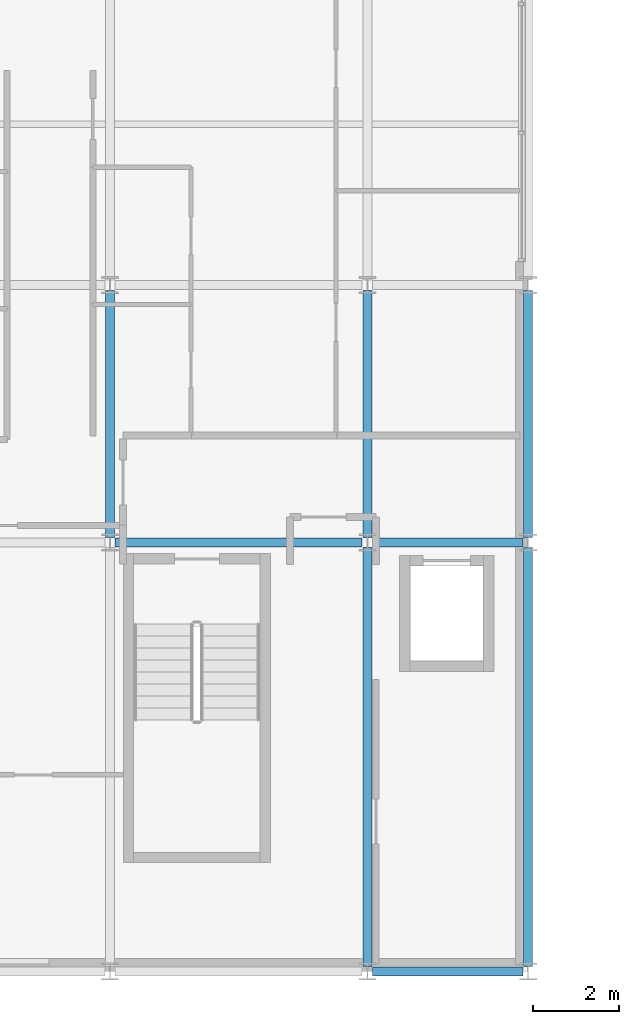
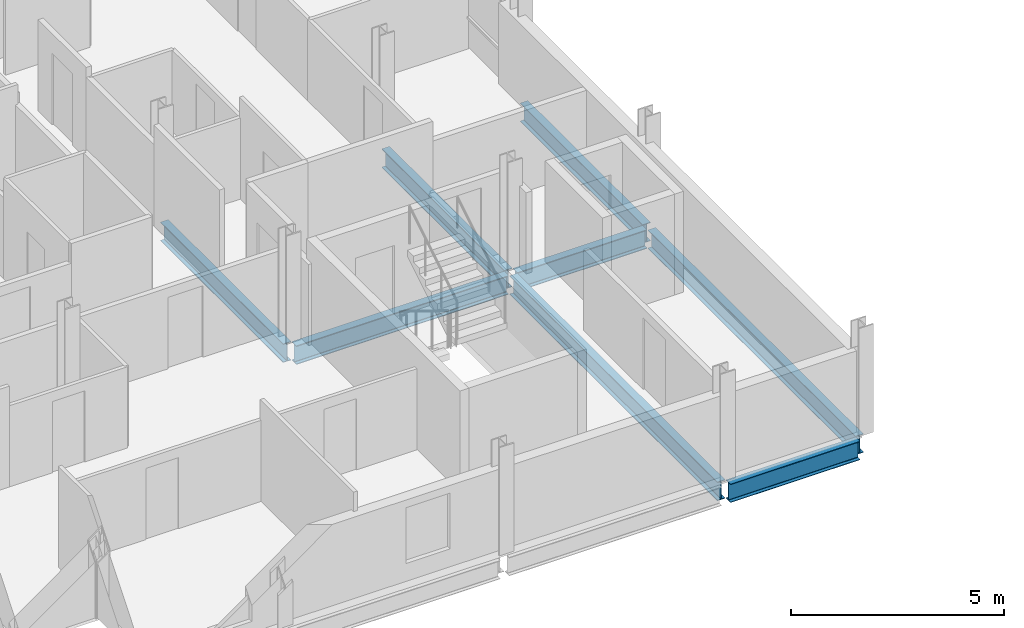
# One storey, part 4 of 28: 8 beams.
"""IFC4 building model written with IfcOpenShell, lengths in metres."""

import ifcopenshell
import ifcopenshell.guid

model = None  # the IFC model being written
_history = None  # IfcOwnerHistory: only IFC2X3 demands one
_inside = {}  # id of a spatial element -> (the spatial element, [elements in it])
_under = {}  # id of a project, library or spatial element -> (it, [spatial elements below it])
_declared = {}  # id of a project -> (the project, [libraries it declares])
_typed = {}  # id of a type object -> (the type object, [elements of that type])
_made_of = {}  # id of a material, layer set ... -> (it, [elements and type objects made of it])


def new_model(schema):
    """Start an empty IFC model of exactly this schema.

    Asked for "IFC4X3", IfcOpenShell would pick the latest addendum, in which some entities
    have other attributes; the version numbers below select the first issue.
    IFC2X3 requires an IfcOwnerHistory on every rooted entity: one is made here for all.
    """
    global model, _history
    if schema == "IFC4X3":
        model = ifcopenshell.file(schema_version=(4, 3, 0, 0))
    else:
        model = ifcopenshell.file(schema=schema)
    _inside.clear()
    _under.clear()
    _declared.clear()
    _typed.clear()
    _made_of.clear()
    _history = None
    if model.schema == "IFC2X3":
        org = make("IfcOrganization", Name="unknown")
        user = make(
            "IfcPersonAndOrganization",
            ThePerson=make("IfcPerson", FamilyName="unknown"),
            TheOrganization=org,
        )
        app = make(
            "IfcApplication",
            ApplicationDeveloper=org,
            Version="unknown",
            ApplicationFullName="unknown",
            ApplicationIdentifier="unknown",
        )
        _history = make(
            "IfcOwnerHistory",
            OwningUser=user,
            OwningApplication=app,
            ChangeAction="ADDED",
            CreationDate=0,
        )
    return model


def make(cls, **values):
    """One entity of the class cls with the attributes given. An attribute that is None is left unset."""
    return model.create_entity(
        cls, **{name: value for name, value in values.items() if value is not None}
    )


def rooted(cls, **values):
    """An entity with a GlobalId (a new one), such as an element, a storey or a relation."""
    return make(cls, GlobalId=ifcopenshell.guid.new(), OwnerHistory=_history, **values)


def si_unit(unit_type, name, prefix=None):
    """IfcSIUnit, for example si_unit("LENGTHUNIT", "METRE", prefix="MILLI")."""
    return make("IfcSIUnit", UnitType=unit_type, Prefix=prefix, Name=name)


def assignment(units):
    """IfcUnitAssignment: the units of a project."""
    return None if units is None else make("IfcUnitAssignment", Units=units)


def point(xyz):
    """IfcCartesianPoint."""
    return None if xyz is None else make("IfcCartesianPoint", Coordinates=xyz)


def direction(xyz):
    """IfcDirection."""
    return None if xyz is None else make("IfcDirection", DirectionRatios=xyz)


def frame(location, z_axis=None, x_axis=None):
    """IfcAxis2Placement3D, a coordinate frame: its origin and axes. An axis left out is left unset."""
    return make(
        "IfcAxis2Placement3D",
        Location=point(location),
        Axis=direction(z_axis),
        RefDirection=direction(x_axis),
    )


def frame_2d(location, x_axis=None):
    """IfcAxis2Placement2D, a coordinate frame in the plane: its origin and x axis."""
    return make(
        "IfcAxis2Placement2D", Location=point(location), RefDirection=direction(x_axis)
    )


def origin():
    """The frame at (0, 0, 0) with its axes left unset."""
    return frame((0.0, 0.0, 0.0))


def origin_2d():
    """The frame at (0, 0) in the plane with its x axis left unset."""
    return frame_2d((0.0, 0.0))


def place(relative_to, where):
    """IfcLocalPlacement: puts the frame where relative to a parent placement (None: the world)."""
    return make(
        "IfcLocalPlacement", PlacementRelTo=relative_to, RelativePlacement=where
    )


def context(
    kind, dimensions, precision=None, world=None, true_north=None, identifier=None
):
    """IfcGeometricRepresentationContext, for example the 3D "Model" context."""
    return make(
        "IfcGeometricRepresentationContext",
        ContextIdentifier=identifier,
        ContextType=kind,
        CoordinateSpaceDimension=dimensions,
        Precision=precision,
        WorldCoordinateSystem=world,
        TrueNorth=true_north,
    )


def subcontext(parent, identifier, kind, view, scale=None):
    """IfcGeometricRepresentationSubContext, for example "Body" below "Model"."""
    return make(
        "IfcGeometricRepresentationSubContext",
        ContextIdentifier=identifier,
        ContextType=kind,
        ParentContext=parent,
        TargetScale=scale,
        TargetView=view,
    )


def project(units=None, contexts=None):
    """IfcProject with its units and contexts."""
    return rooted(
        "IfcProject",
        Name="project",
        RepresentationContexts=contexts,
        UnitsInContext=assignment(units),
    )


def spatial(cls, under=None, at=None, **own):
    """A site, building, storey or space (cls), placed at a placement, below another one or the project."""
    s = rooted(cls, ObjectPlacement=at, **own)
    if under is not None:
        _under.setdefault(under.id(), (under, []))[1].append(s)
    return s


def profile(cls, at=None, kind="AREA", **sizes):
    """A parametric profile (cls). Its sizes go by their IFC names, for example OverallWidth=200.0."""
    return make(cls, ProfileType=kind, Position=at, **sizes)


def i_section(**sizes):
    """IfcIShapeProfileDef."""
    return profile("IfcIShapeProfileDef", **sizes)


def extrude(swept, where, along, depth):
    """IfcExtrudedAreaSolid: the profile swept, set in the frame where, extruded along a direction by depth."""
    return make(
        "IfcExtrudedAreaSolid",
        SweptArea=swept,
        Position=where,
        ExtrudedDirection=direction(along),
        Depth=depth,
    )


def shape(context_of_items, identifier, shape_type, items):
    """IfcShapeRepresentation: the items that make up one representation, for example the "Body"."""
    return make(
        "IfcShapeRepresentation",
        ContextOfItems=context_of_items,
        RepresentationIdentifier=identifier,
        RepresentationType=shape_type,
        Items=items,
    )


def material(Name=None, Category=None):
    """IfcMaterial."""
    return make("IfcMaterial", Name=Name, Category=Category)


def material_profile(
    of_material, cross_section, Name=None, Category=None, Priority=None
):
    """IfcMaterialProfile: a cross section and its material."""
    return make(
        "IfcMaterialProfile",
        Name=Name,
        Material=of_material,
        Profile=cross_section,
        Priority=Priority,
        Category=Category,
    )


def profile_set(profiles, Name=None, composite=None):
    """IfcMaterialProfileSet."""
    return make(
        "IfcMaterialProfileSet",
        Name=Name,
        MaterialProfiles=profiles,
        CompositeProfile=composite,
    )


def made_of(thing, what):
    """Note that an element or type object is made of a material, layer set ...; save() writes the relation."""
    if what is not None:
        _made_of.setdefault(what.id(), (what, []))[1].append(thing)
    return thing


def type_object(cls, material=None, **own):
    """A type object (cls), such as IfcWallType, which elements share."""
    return made_of(rooted(cls, **own), material)


def element(
    cls,
    number,
    at=None,
    inside=None,
    cuts=None,
    type_object=None,
    material=None,
    context=None,
    identifier="Body",
    shape_type=None,
    held_by="IfcProductDefinitionShape",
    body=None,
    shapes=None,
    **own,
):
    """One element of the class cls, such as IfcWall. Its Tag is "e" and its number.

    at: its placement. inside: the storey or other place that contains it. cuts: it is an
    opening in that element (IfcRelVoidsElement). A single representation is given by context,
    identifier, shape_type and body (its items); several are given by shapes. held_by: the class
    of the entity that holds the representations. save() writes the other relations.
    """
    e = rooted(cls, Tag="e%d" % number, ObjectPlacement=at, **own)
    if body is not None:
        shapes = [shape(context, identifier, shape_type, body)]
    if shapes is not None:
        e.Representation = make(held_by, Representations=shapes)
    if inside is not None:
        _inside.setdefault(inside.id(), (inside, []))[1].append(e)
    if cuts is not None:
        rooted(
            "IfcRelVoidsElement", RelatingBuildingElement=cuts, RelatedOpeningElement=e
        )
    if type_object is not None:
        _typed.setdefault(type_object.id(), (type_object, []))[1].append(e)
    return made_of(e, material)


def aggregate(whole, parts):
    """IfcRelAggregates: a whole, such as a stair, and the parts it consists of."""
    return rooted("IfcRelAggregates", RelatingObject=whole, RelatedObjects=parts)


def save(model, path):
    """Write the relations noted so far, then the file.

    IfcRelAggregates (storeys below a building ...), IfcRelContainedInSpatialStructure (elements
    in a storey), IfcRelDefinesByType, IfcRelAssociatesMaterial and IfcRelDeclares: one each for
    every whole, place, type object, material and project.
    """
    for whole, parts in _under.values():
        aggregate(whole, parts)
    for where, things in _inside.values():
        rooted(
            "IfcRelContainedInSpatialStructure",
            RelatedElements=things,
            RelatingStructure=where,
        )
    for kind, things in _typed.values():
        rooted("IfcRelDefinesByType", RelatedObjects=things, RelatingType=kind)
    for what, things in _made_of.values():
        rooted("IfcRelAssociatesMaterial", RelatedObjects=things, RelatingMaterial=what)
    for by, libraries in _declared.values():
        rooted("IfcRelDeclares", RelatingContext=by, RelatedDefinitions=libraries)
    model.write(path)


model = new_model("IFC4")

# Units and contexts
model_context = context("Model", 3, precision=1e-05, world=origin(), true_north=direction((0.0, 1.0)))
body_context = subcontext(model_context, "Body", "Model", "MODEL_VIEW")
ifc_project = project(units=[si_unit("LENGTHUNIT", "METRE"), si_unit("AREAUNIT", "SQUARE_METRE"), si_unit("VOLUMEUNIT", "CUBIC_METRE"), si_unit("PLANEANGLEUNIT", "RADIAN"), si_unit("MASSUNIT", "GRAM", prefix="KILO")], contexts=[model_context])

# Site, building, storey
site_placement = place(None, origin())
site = spatial("IfcSite", under=ifc_project, at=site_placement, CompositionType="ELEMENT")
building_placement = place(site_placement, origin())
building = spatial("IfcBuilding", under=site, at=building_placement, Name="Brevholm Reach", CompositionType="ELEMENT")
storey_placement = place(building_placement, frame((0.0, 0.0, 192.5)))
storey = spatial("IfcBuildingStorey", under=building, at=storey_placement, Name="L58", CompositionType="ELEMENT", Elevation=192.5)

# Beams
ifc_material_1 = material(Name="Structural Steel S355J2", Category="steel")
ifc_material_profile_1 = material_profile(ifc_material_1, i_section(OverallWidth=0.209228515625, OverallDepth=0.533203125, WebThickness=0.010009765625, FlangeThickness=0.015625, FilletRadius=0.0126953125, at=origin_2d()), Name="UKB 533x210x92")
ifc_profile_set_1 = profile_set([ifc_material_profile_1], Name="Structural Steel S355J2")
beam_type_1 = type_object("IfcBeamType", Name="BM-SP533", PredefinedType="SPANDREL", material=ifc_profile_set_1)
beam_1_placement = place(storey_placement, frame((18.1201171875, 0.0, -0.4765625), z_axis=(1.0, 0.0, 0.0), x_axis=(0.0, 1.0, 0.0)))
element("IfcBeam", 1, at=beam_1_placement, inside=storey, type_object=beam_type_1, Name="L58 SP-02 Framing Beam", PredefinedType="SPANDREL", context=body_context, shape_type="SweptSolid", body=[
    extrude(i_section(OverallWidth=0.209228515625, OverallDepth=0.533203125, WebThickness=0.010009765625, FlangeThickness=0.015625, FilletRadius=0.0126953125, at=origin_2d()), origin(), (0.0, 0.0, 1.0), 3.509765625),
])
beam_2_placement = place(storey_placement, frame((21.75, 0.1201171875, -0.4765625), z_axis=(0.0, 1.0, 0.0), x_axis=(-1.0, 0.0, 0.0)))
element("IfcBeam", 2, at=beam_2_placement, inside=storey, type_object=beam_type_1, Name="L58 SP-02 Framing Beam", PredefinedType="SPANDREL", context=body_context, shape_type="SweptSolid", body=[
    extrude(i_section(OverallWidth=0.209228515625, OverallDepth=0.533203125, WebThickness=0.010009765625, FlangeThickness=0.015625, FilletRadius=0.0126953125, at=origin_2d()), origin(), (0.0, 0.0, 1.0), 9.759765625),
])
beam_3_placement = place(storey_placement, frame((21.75, 10.1201171875, -0.4765625), z_axis=(0.0, 1.0, 0.0), x_axis=(-1.0, 0.0, 0.0)))
element("IfcBeam", 3, at=beam_3_placement, inside=storey, type_object=beam_type_1, Name="L58 SP-02 Framing Beam", PredefinedType="SPANDREL", context=body_context, shape_type="SweptSolid", body=[
    extrude(i_section(OverallWidth=0.209228515625, OverallDepth=0.533203125, WebThickness=0.010009765625, FlangeThickness=0.015625, FilletRadius=0.0126953125, at=origin_2d()), origin(), (0.0, 0.0, 1.0), 5.759765625),
])
ifc_material_2 = material(Name="Structural Steel S355J2", Category="steel")
ifc_material_profile_2 = material_profile(ifc_material_2, i_section(OverallWidth=0.210693359375, OverallDepth=0.53955078125, WebThickness=0.01171875, FlangeThickness=0.018798828125, FilletRadius=0.0126953125, at=origin_2d()), Name="UKB 533x210x109")
ifc_profile_set_2 = profile_set([ifc_material_profile_2], Name="Structural Steel S355J2")
beam_type_2 = type_object("IfcBeamType", Name="BM-SP539", PredefinedType="SPANDREL", material=ifc_profile_set_2)
beam_4_placement = place(storey_placement, frame((12.1201171875, 10.0, -0.479736328125), z_axis=(1.0, 0.0, 0.0), x_axis=(0.0, 1.0, 0.0)))
element("IfcBeam", 4, at=beam_4_placement, inside=storey, type_object=beam_type_2, Name="L58 SP-01B Framing Beam", PredefinedType="SPANDREL", context=body_context, shape_type="SweptSolid", body=[
    extrude(i_section(OverallWidth=0.210693359375, OverallDepth=0.53955078125, WebThickness=0.01171875, FlangeThickness=0.018798828125, FilletRadius=0.0126953125, at=origin_2d()), origin(), (0.0, 0.0, 1.0), 5.759765625),
])
beam_5_placement = place(storey_placement, frame((18.1201171875, 10.0, -0.479736328125), z_axis=(1.0, 0.0, 0.0), x_axis=(0.0, 1.0, 0.0)))
element("IfcBeam", 5, at=beam_5_placement, inside=storey, type_object=beam_type_2, Name="L58 SP-01B Framing Beam", PredefinedType="SPANDREL", context=body_context, shape_type="SweptSolid", body=[
    extrude(i_section(OverallWidth=0.210693359375, OverallDepth=0.53955078125, WebThickness=0.01171875, FlangeThickness=0.018798828125, FilletRadius=0.0126953125, at=origin_2d()), origin(), (0.0, 0.0, 1.0), 3.509765625),
])
beam_6_placement = place(storey_placement, frame((12.0, 10.1201171875, -0.479736328125), z_axis=(0.0, 1.0, 0.0), x_axis=(-1.0, 0.0, 0.0)))
element("IfcBeam", 6, at=beam_6_placement, inside=storey, type_object=beam_type_2, Name="L58 SP-01B Framing Beam", PredefinedType="SPANDREL", context=body_context, shape_type="SweptSolid", body=[
    extrude(i_section(OverallWidth=0.210693359375, OverallDepth=0.53955078125, WebThickness=0.01171875, FlangeThickness=0.018798828125, FilletRadius=0.0126953125, at=origin_2d()), origin(), (0.0, 0.0, 1.0), 5.759765625),
])
beam_7_placement = place(storey_placement, frame((18.0, 0.1201171875, -0.479736328125), z_axis=(0.0, 1.0, 0.0), x_axis=(-1.0, 0.0, 0.0)))
element("IfcBeam", 7, at=beam_7_placement, inside=storey, type_object=beam_type_2, Name="L58 SP-01B Framing Beam", PredefinedType="SPANDREL", context=body_context, shape_type="SweptSolid", body=[
    extrude(i_section(OverallWidth=0.210693359375, OverallDepth=0.53955078125, WebThickness=0.01171875, FlangeThickness=0.018798828125, FilletRadius=0.0126953125, at=origin_2d()), origin(), (0.0, 0.0, 1.0), 9.759765625),
])
beam_8_placement = place(storey_placement, frame((18.0, 10.1201171875, -0.479736328125), z_axis=(0.0, 1.0, 0.0), x_axis=(-1.0, 0.0, 0.0)))
element("IfcBeam", 8, at=beam_8_placement, inside=storey, type_object=beam_type_2, Name="L58 SP-01B Framing Beam", PredefinedType="SPANDREL", context=body_context, shape_type="SweptSolid", body=[
    extrude(i_section(OverallWidth=0.210693359375, OverallDepth=0.53955078125, WebThickness=0.01171875, FlangeThickness=0.018798828125, FilletRadius=0.0126953125, at=origin_2d()), origin(), (0.0, 0.0, 1.0), 5.759765625),
])

save(model, "model.ifc")
